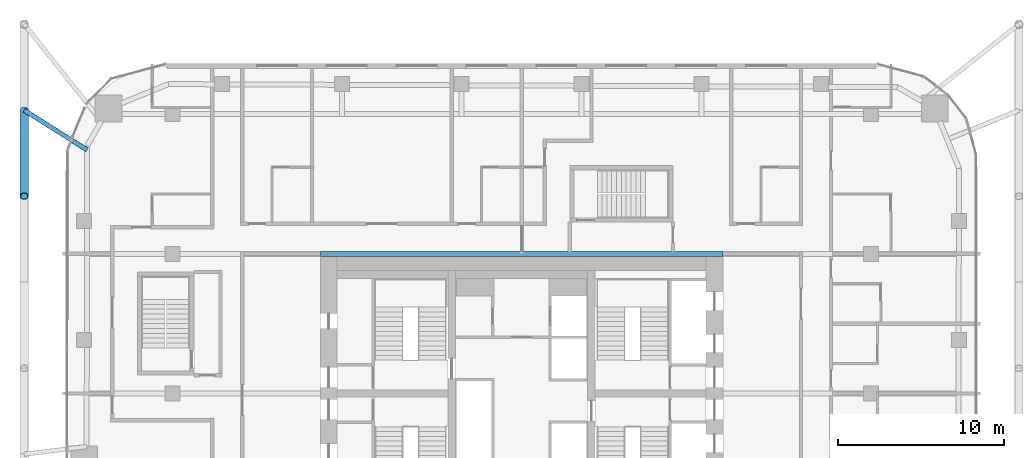
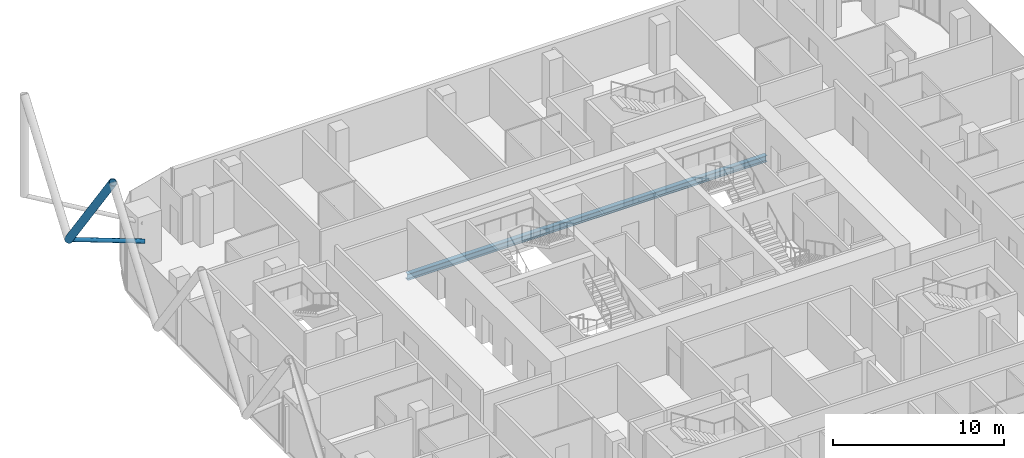
# One storey, part 10 of 36: 2 members, 1 beam.
"""IFC4 building model written with IfcOpenShell, lengths in metres."""

from ifc_helpers import new_model, si_unit, direction, frame, origin, origin_2d, place, context, subcontext, project, spatial, hollow_circle, i_section, extrude, material, material_profile, profile_set, type_object, element, save


model = new_model("IFC4")

# Units and contexts
model_context = context("Model", 3, precision=1e-05, world=origin(), true_north=direction((0.0, 1.0)))
body_context = subcontext(model_context, "Body", "Model", "MODEL_VIEW")
ifc_project = project(units=[si_unit("LENGTHUNIT", "METRE"), si_unit("AREAUNIT", "SQUARE_METRE"), si_unit("VOLUMEUNIT", "CUBIC_METRE"), si_unit("PLANEANGLEUNIT", "RADIAN"), si_unit("MASSUNIT", "GRAM", prefix="KILO")], contexts=[model_context])

# Site, building, storey
site_placement = place(None, origin())
site = spatial("IfcSite", under=ifc_project, at=site_placement, CompositionType="ELEMENT")
building_placement = place(site_placement, origin())
building = spatial("IfcBuilding", under=site, at=building_placement, Name="Marenta Gate Hotel Tower", CompositionType="ELEMENT")
storey_placement = place(building_placement, frame((0.0, 0.0, 144.5)))
storey = spatial("IfcBuildingStorey", under=building, at=storey_placement, Name="L33", CompositionType="ELEMENT", Elevation=144.5)

# Members
ifc_material_1 = material(Name="Steel S355J2W", Category="steel")
ifc_material_profile_1 = material_profile(ifc_material_1, hollow_circle(Radius=0.25390625, WallThickness=0.0400390625, at=origin_2d()), Name="CHS 508x40")
ifc_profile_set_1 = profile_set([ifc_material_profile_1], Name="Steel S355J2W")
member_type_1 = type_object("IfcMemberType", Name="Diagrid diagonal Z2 CHS 508x40", PredefinedType="BRACE", material=ifc_profile_set_1)
member_1_placement = place(storey_placement, frame((-29.89990234375, 25.429931640625, 3.139892578125), z_axis=(0.0, -0.583247791947, 0.812294289767), x_axis=(1.0, 0.0, 0.0)))
element("IfcMember", 1, at=member_1_placement, inside=storey, type_object=member_type_1, Name="L33-DG-33", PredefinedType="BRACE", context=body_context, shape_type="SweptSolid", body=[
    extrude(hollow_circle(Radius=0.25390625, WallThickness=0.0400390625, at=origin_2d()), origin(), (0.0, 0.0, 1.0), 8.864013671875),
])
ifc_material_2 = material(Name="Steel S355J2W", Category="steel")
ifc_material_profile_2 = material_profile(ifc_material_2, hollow_circle(Radius=0.136474609375, WallThickness=0.012451171875, at=origin_2d()), Name="CHS 273x12.5")
ifc_profile_set_2 = profile_set([ifc_material_profile_2], Name="Steel S355J2W")
member_type_2 = type_object("IfcMemberType", Name="Floor tie CHS 273x12.5", PredefinedType="STRUT", material=ifc_profile_set_2)
member_2_placement = place(storey_placement, frame((-29.89990234375, 25.429931640625, 3.139892578125), z_axis=(0.845306816759, -0.534281185839, 0.0), x_axis=(0.534281185839, 0.845306816759, 0.0)))
element("IfcMember", 2, at=member_2_placement, inside=storey, type_object=member_type_2, Name="L33-DR-21", PredefinedType="STRUT", context=body_context, shape_type="SweptSolid", body=[
    extrude(hollow_circle(Radius=0.136474609375, WallThickness=0.012451171875, at=origin_2d()), origin(), (0.0, 0.0, 1.0), 4.461669921875),
])

# Beam
ifc_material_3 = material(Name="Steel S355", Category="steel")
ifc_material_profile_3 = material_profile(ifc_material_3, i_section(OverallWidth=0.300048828125, OverallDepth=0.449951171875, WebThickness=0.013916015625, FlangeThickness=0.02587890625, FilletRadius=0.027099609375, at=origin_2d()), Name="HEB 450")
ifc_profile_set_3 = profile_set([ifc_material_profile_3], Name="Steel S355")
beam_type = type_object("IfcBeamType", Name="Girder HEB 450", PredefinedType="BEAM", material=ifc_profile_set_3)
beam_placement = place(storey_placement, frame((-12.10009765625, 16.800048828125, -0.485107421875), z_axis=(1.0, 0.0, 0.0), x_axis=(0.0, 1.0, 0.0)))
element("IfcBeam", 3, at=beam_placement, inside=storey, type_object=beam_type, Name="L33-GD-26", PredefinedType="BEAM", context=body_context, shape_type="SweptSolid", body=[
    extrude(i_section(OverallWidth=0.300048828125, OverallDepth=0.449951171875, WebThickness=0.013916015625, FlangeThickness=0.02587890625, FilletRadius=0.027099609375, at=origin_2d()), origin(), (0.0, 0.0, 1.0), 24.2001953125),
])

save(model, "model.ifc")
